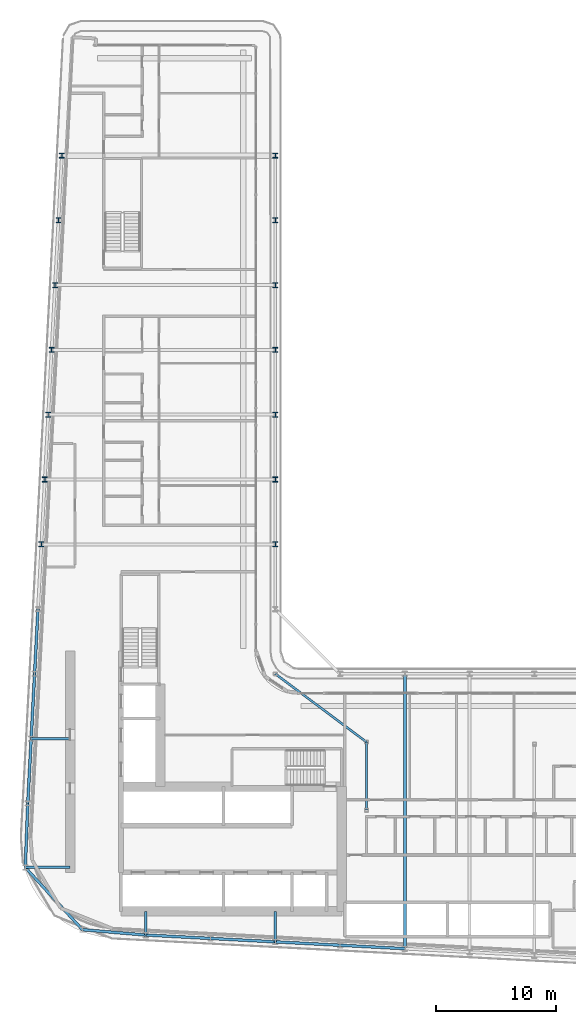
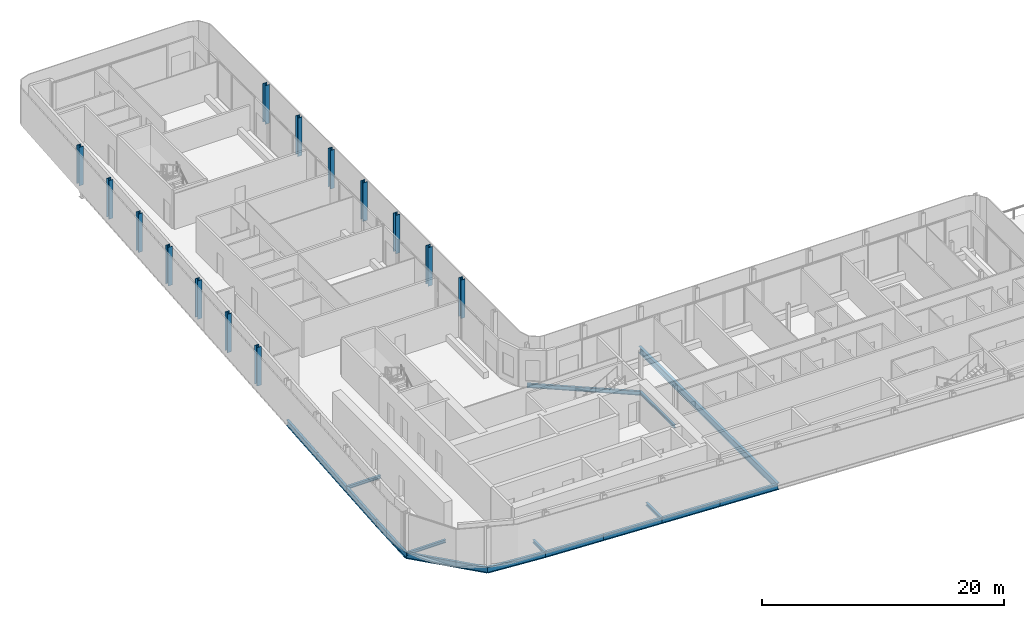
# One storey, part 3 of 27: 17 beams, 14 columns.
"""IFC4 building model written with IfcOpenShell, lengths in metres."""

from ifc_helpers import new_model, si_unit, direction, frame, origin, origin_2d, place, context, subcontext, project, spatial, i_section, extrude, material, material_profile, profile_set, type_object, element, save


model = new_model("IFC4")

# Units and contexts
model_context = context("Model", 3, precision=1e-05, world=origin(), true_north=direction((0.0, 1.0)))
body_context = subcontext(model_context, "Body", "Model", "MODEL_VIEW")
ifc_project = project(units=[si_unit("LENGTHUNIT", "METRE"), si_unit("AREAUNIT", "SQUARE_METRE"), si_unit("VOLUMEUNIT", "CUBIC_METRE"), si_unit("PLANEANGLEUNIT", "RADIAN"), si_unit("MASSUNIT", "GRAM", prefix="KILO")], contexts=[model_context])

# Site, building, storey
site_placement = place(None, origin())
site = spatial("IfcSite", under=ifc_project, at=site_placement, CompositionType="ELEMENT")
building_placement = place(site_placement, origin())
building = spatial("IfcBuilding", under=site, at=building_placement, Name="Kheshtan School and Residences Tower", CompositionType="ELEMENT")
storey_placement = place(building_placement, frame((0.0, 0.0, 152.60009765625)))
storey = spatial("IfcBuildingStorey", under=building, at=storey_placement, Name="L35", CompositionType="ELEMENT", Elevation=152.60009765625)

# Columns
ifc_material = material(Name="Steel ASTM A992 Grade 50", Category="steel")
ifc_material_profile_1 = material_profile(ifc_material, i_section(OverallWidth=0.408935546875, OverallDepth=0.425048828125, WebThickness=0.03271484375, FlangeThickness=0.052490234375, FilletRadius=0.0126953125, at=origin_2d()), Name="W360x421")
ifc_profile_set_1 = profile_set([ifc_material_profile_1], Name="Steel ASTM A992 Grade 50")
column_type = type_object("IfcColumnType", Name="Column C3 W360x421 ASTM A992 Grade 50", PredefinedType="COLUMN", material=ifc_profile_set_1)
for number, where, z_axis, x_axis, name in (
    (1, (28.10595703125, 56.39990234375, 0.0), (0.0, 0.0, 1.0), (1.0, 0.0, 0.0), "Column C080"),
    (2, (47.60009765625, 56.39990234375, 0.0), (0.0, 0.0, 1.0), (1.0, 0.0, 0.0), "Column C081"),
    (3, (28.389892578125, 61.800048828125, 0.0), (0.0, 0.0, 1.0), (1.0, 0.0, 0.0), "Column C082"),
    (4, (47.60009765625, 61.800048828125, 0.0), (0.0, 0.0, 1.0), (1.0, 0.0, 0.0), "Column C083"),
    (5, (28.674072265625, 67.199951171875, 0.0), (0.0, 0.0, 1.0), (1.0, 0.0, 0.0), "Column C084"),
    (6, (47.60009765625, 67.199951171875, 0.0), (0.0, 0.0, 1.0), (1.0, 0.0, 0.0), "Column C085"),
    (7, (28.9580078125, 72.60009765625, 0.0), (0.0, 0.0, 1.0), (1.0, 0.0, 0.0), "Column C086"),
    (8, (47.60009765625, 72.60009765625, 0.0), (0.0, 0.0, 1.0), (1.0, 0.0, 0.0), "Column C087"),
    (9, (29.242919921875, 78.0, 0.0), (0.0, 0.0, 1.0), (1.0, 0.0, 0.0), "Column C088"),
    (10, (47.60009765625, 78.0, 0.0), (0.0, 0.0, 1.0), (1.0, 0.0, 0.0), "Column C089"),
    (11, (29.527099609375, 83.39990234375, 0.0), (0.0, 0.0, 1.0), (1.0, 0.0, 0.0), "Column C090"),
    (12, (47.60009765625, 83.39990234375, 0.0), (0.0, 0.0, 1.0), (1.0, 0.0, 0.0), "Column C091"),
    (13, (29.81103515625, 88.800048828125, 0.0), (0.0, 0.0, 1.0), (1.0, 0.0, 0.0), "Column C098"),
    (14, (47.60009765625, 88.800048828125, 0.0), (0.0, 0.0, 1.0), (1.0, 0.0, 0.0), "Column C099"),
):
    element("IfcColumn", number, at=place(storey_placement, frame(where, z_axis=z_axis, x_axis=x_axis)), inside=storey, type_object=column_type, Name=name, PredefinedType="COLUMN", context=body_context, shape_type="SweptSolid", body=[
        extrude(i_section(OverallWidth=0.408935546875, OverallDepth=0.425048828125, WebThickness=0.03271484375, FlangeThickness=0.052490234375, FilletRadius=0.0126953125, at=origin_2d()), origin(), (0.0, 0.0, 1.0), 3.89990234375),
    ])

# Beams
ifc_material_profile_2 = material_profile(ifc_material, i_section(OverallWidth=0.202880859375, OverallDepth=0.302978515625, WebThickness=0.007568359375, FlangeThickness=0.01318359375, FilletRadius=0.009033203125, at=origin_2d()), Name="W310x60")
ifc_profile_set_2 = profile_set([ifc_material_profile_2], Name="Steel ASTM A992 Grade 50")
beam_type_1 = type_object("IfcBeamType", Name="Beam FB1 W310x60 ASTM A992 Grade 50", PredefinedType="BEAM", material=ifc_profile_set_2)
beam_1_placement = place(storey_placement, frame((47.60009765625, 23.263916015625, -0.301513671875), z_axis=(0.0, 1.0, 0.0), x_axis=(-1.0, 0.0, 0.0)))
element("IfcBeam", 15, at=beam_1_placement, inside=storey, type_object=beam_type_1, Name="Floor beam C020", PredefinedType="BEAM", context=body_context, shape_type="SweptSolid", body=[
    extrude(i_section(OverallWidth=0.202880859375, OverallDepth=0.302978515625, WebThickness=0.007568359375, FlangeThickness=0.01318359375, FilletRadius=0.009033203125, at=origin_2d()), origin(), (0.0, 0.0, 1.0), 2.5361328125),
])
beam_2_placement = place(storey_placement, frame((36.800048828125, 23.83203125, -0.301513671875), z_axis=(0.0, 1.0, 0.0), x_axis=(-1.0, 0.0, 0.0)))
element("IfcBeam", 16, at=beam_2_placement, inside=storey, type_object=beam_type_1, Name="Floor beam C022", PredefinedType="BEAM", context=body_context, shape_type="SweptSolid", body=[
    extrude(i_section(OverallWidth=0.202880859375, OverallDepth=0.302978515625, WebThickness=0.007568359375, FlangeThickness=0.01318359375, FilletRadius=0.009033203125, at=origin_2d()), origin(), (0.0, 0.0, 1.0), 1.968017578125),
])
beam_3_placement = place(storey_placement, frame((26.761962890625, 29.464111328125, -0.301513671875), z_axis=(1.0, 0.0, 0.0), x_axis=(0.0, 1.0, 0.0)))
element("IfcBeam", 17, at=beam_3_placement, inside=storey, type_object=beam_type_1, Name="Floor beam C041", PredefinedType="BEAM", context=body_context, shape_type="SweptSolid", body=[
    extrude(i_section(OverallWidth=0.202880859375, OverallDepth=0.302978515625, WebThickness=0.007568359375, FlangeThickness=0.01318359375, FilletRadius=0.009033203125, at=origin_2d()), origin(), (0.0, 0.0, 1.0), 3.738037109375),
])
beam_4_placement = place(storey_placement, frame((27.2529296875, 40.199951171875, -0.301513671875), z_axis=(1.0, 0.0, 0.0), x_axis=(0.0, 1.0, 0.0)))
element("IfcBeam", 18, at=beam_4_placement, inside=storey, type_object=beam_type_1, Name="Floor beam C056", PredefinedType="BEAM", context=body_context, shape_type="SweptSolid", body=[
    extrude(i_section(OverallWidth=0.202880859375, OverallDepth=0.302978515625, WebThickness=0.007568359375, FlangeThickness=0.01318359375, FilletRadius=0.009033203125, at=origin_2d()), origin(), (0.0, 0.0, 1.0), 3.2470703125),
])
beam_5_placement = place(storey_placement, frame((55.199951171875, 34.23193359375, -0.301513671875), z_axis=(0.0, 1.0, 0.0), x_axis=(-1.0, 0.0, 0.0)))
element("IfcBeam", 19, at=beam_5_placement, inside=storey, type_object=beam_type_1, Name="Floor beam IC", PredefinedType="BEAM", context=body_context, shape_type="SweptSolid", body=[
    extrude(i_section(OverallWidth=0.202880859375, OverallDepth=0.302978515625, WebThickness=0.007568359375, FlangeThickness=0.01318359375, FilletRadius=0.009033203125, at=origin_2d()), origin(), (0.0, 0.0, 1.0), 5.68408203125),
])
ifc_material_profile_3 = material_profile(ifc_material, i_section(OverallWidth=0.180908203125, OverallDepth=0.4169921875, WebThickness=0.010986328125, FlangeThickness=0.018310546875, FilletRadius=0.012451171875, at=origin_2d()), Name="W410x85")
ifc_profile_set_3 = profile_set([ifc_material_profile_3], Name="Steel ASTM A992 Grade 50")
beam_type_2 = type_object("IfcBeamType", Name="Beam FB3 W410x85 ASTM A992 Grade 50", PredefinedType="BEAM", material=ifc_profile_set_3)
beam_6_placement = place(storey_placement, frame((47.60009765625, 45.60009765625, -0.358642578125), z_axis=(0.800798828004, -0.598933416222, 0.0), x_axis=(0.598933416222, 0.800798828004, 0.0)))
element("IfcBeam", 20, at=beam_6_placement, inside=storey, type_object=beam_type_2, Name="Floor beam IC", PredefinedType="BEAM", context=body_context, shape_type="SweptSolid", body=[
    extrude(i_section(OverallWidth=0.180908203125, OverallDepth=0.4169921875, WebThickness=0.010986328125, FlangeThickness=0.018310546875, FilletRadius=0.012451171875, at=origin_2d()), origin(), (0.0, 0.0, 1.0), 9.490234375),
])
ifc_material_profile_4 = material_profile(ifc_material, i_section(OverallWidth=0.2529296875, OverallDepth=0.677978515625, WebThickness=0.01171875, FlangeThickness=0.016357421875, FilletRadius=0.0146484375, at=origin_2d()), Name="W690x125")
ifc_profile_set_4 = profile_set([ifc_material_profile_4], Name="Steel ASTM A992 Grade 50")
beam_type_3 = type_object("IfcBeamType", Name="Beam FB6 W690x125 ASTM A992 Grade 50", PredefinedType="BEAM", material=ifc_profile_set_4)
beam_7_placement = place(storey_placement, frame((58.39990234375, 22.695068359375, -0.489013671875), z_axis=(0.0, 1.0, 0.0), x_axis=(-1.0, 0.0, 0.0)))
element("IfcBeam", 21, at=beam_7_placement, inside=storey, type_object=beam_type_3, Name="Floor beam C018", PredefinedType="BEAM", context=body_context, shape_type="SweptSolid", body=[
    extrude(i_section(OverallWidth=0.2529296875, OverallDepth=0.677978515625, WebThickness=0.01171875, FlangeThickness=0.016357421875, FilletRadius=0.0146484375, at=origin_2d()), origin(), (0.0, 0.0, 1.0), 22.905029296875),
])
ifc_material_profile_5 = material_profile(ifc_material, i_section(OverallWidth=0.22802734375, OverallDepth=0.60302734375, WebThickness=0.010498046875, FlangeThickness=0.014892578125, FilletRadius=0.013427734375, at=origin_2d()), Name="W610x101")
ifc_profile_set_5 = profile_set([ifc_material_profile_5], Name="Steel ASTM A992 Grade 50")
beam_type_4 = type_object("IfcBeamType", Name="Beam SP2 W610x101 ASTM A992 Grade 50", PredefinedType="BEAM", material=ifc_profile_set_5)
for number, where, z_axis, x_axis, name in (
    (22, (58.39990234375, 22.695068359375, -0.45166015625), (-0.998610961136, 0.052689166816, 0.0), (-0.052689166816, -0.998610961136, 0.0), "Spandrel beam C018-C019"),
    (23, (53.0, 22.97998046875, -0.45166015625), (-0.998620447272, 0.05250906864, 0.0), (-0.05250906864, -0.998620447272, 0.0), "Spandrel beam C019-C020"),
):
    element("IfcBeam", number, at=place(storey_placement, frame(where, z_axis=z_axis, x_axis=x_axis)), inside=storey, type_object=beam_type_4, Name=name, PredefinedType="BEAM", context=body_context, shape_type="SweptSolid", body=[
        extrude(i_section(OverallWidth=0.22802734375, OverallDepth=0.60302734375, WebThickness=0.010498046875, FlangeThickness=0.014892578125, FilletRadius=0.013427734375, at=origin_2d()), origin(), (0.0, 0.0, 1.0), 5.407470703125),
    ])
beam_8_placement = place(storey_placement, frame((47.60009765625, 23.263916015625, -0.45166015625), z_axis=(-0.998618203458, 0.052551724256, 0.0), x_axis=(-0.052551724256, -0.998618203458, 0.0)))
element("IfcBeam", 24, at=beam_8_placement, inside=storey, type_object=beam_type_4, Name="Spandrel beam C020-C021", PredefinedType="BEAM", context=body_context, shape_type="SweptSolid", body=[
    extrude(i_section(OverallWidth=0.22802734375, OverallDepth=0.60302734375, WebThickness=0.010498046875, FlangeThickness=0.014892578125, FilletRadius=0.013427734375, at=origin_2d()), origin(), (0.0, 0.0, 1.0), 5.40771484375),
])
beam_9_placement = place(storey_placement, frame((42.199951171875, 23.548095703125, -0.45166015625), z_axis=(-0.998620447272, 0.05250906864, 0.0), x_axis=(-0.05250906864, -0.998620447272, 0.0)))
element("IfcBeam", 25, at=beam_9_placement, inside=storey, type_object=beam_type_4, Name="Spandrel beam C021-C022", PredefinedType="BEAM", context=body_context, shape_type="SweptSolid", body=[
    extrude(i_section(OverallWidth=0.22802734375, OverallDepth=0.60302734375, WebThickness=0.010498046875, FlangeThickness=0.014892578125, FilletRadius=0.013427734375, at=origin_2d()), origin(), (0.0, 0.0, 1.0), 5.407470703125),
])
beam_10_placement = place(storey_placement, frame((36.800048828125, 23.83203125, -0.45166015625), z_axis=(-0.996498230975, 0.083613848512, 0.0), x_axis=(-0.083613848512, -0.996498230975, 0.0)))
element("IfcBeam", 26, at=beam_10_placement, inside=storey, type_object=beam_type_4, Name="Spandrel beam C022-C028", PredefinedType="BEAM", context=body_context, shape_type="SweptSolid", body=[
    extrude(i_section(OverallWidth=0.22802734375, OverallDepth=0.60302734375, WebThickness=0.010498046875, FlangeThickness=0.014892578125, FilletRadius=0.013427734375, at=origin_2d()), origin(), (0.0, 0.0, 1.0), 5.296630859375),
])
beam_11_placement = place(storey_placement, frame((31.52197265625, 24.27490234375, -0.45166015625), z_axis=(-0.675974218658, 0.736925271456, 0.0), x_axis=(-0.736925271456, -0.675974218658, 0.0)))
element("IfcBeam", 27, at=beam_11_placement, inside=storey, type_object=beam_type_4, Name="Spandrel beam C028-C041", PredefinedType="BEAM", context=body_context, shape_type="SweptSolid", body=[
    extrude(i_section(OverallWidth=0.22802734375, OverallDepth=0.60302734375, WebThickness=0.010498046875, FlangeThickness=0.014892578125, FilletRadius=0.013427734375, at=origin_2d()), origin(), (0.0, 0.0, 1.0), 7.041748046875),
])
beam_12_placement = place(storey_placement, frame((26.761962890625, 29.464111328125, -0.45166015625), z_axis=(0.038770243067, 0.999248151488, 0.0), x_axis=(-0.999248151488, 0.038770243067, 0.0)))
element("IfcBeam", 28, at=beam_12_placement, inside=storey, type_object=beam_type_4, Name="Spandrel beam C041-C052", PredefinedType="BEAM", context=body_context, shape_type="SweptSolid", body=[
    extrude(i_section(OverallWidth=0.22802734375, OverallDepth=0.60302734375, WebThickness=0.010498046875, FlangeThickness=0.014892578125, FilletRadius=0.013427734375, at=origin_2d()), origin(), (0.0, 0.0, 1.0), 5.33984375),
])
beam_13_placement = place(storey_placement, frame((26.968994140625, 34.800048828125, -0.45166015625), z_axis=(0.05250906864, 0.998620447272, 0.0), x_axis=(-0.998620447272, 0.05250906864, 0.0)))
element("IfcBeam", 29, at=beam_13_placement, inside=storey, type_object=beam_type_4, Name="Spandrel beam C052-C056", PredefinedType="BEAM", context=body_context, shape_type="SweptSolid", body=[
    extrude(i_section(OverallWidth=0.22802734375, OverallDepth=0.60302734375, WebThickness=0.010498046875, FlangeThickness=0.014892578125, FilletRadius=0.013427734375, at=origin_2d()), origin(), (0.0, 0.0, 1.0), 5.407470703125),
])
beam_14_placement = place(storey_placement, frame((27.2529296875, 40.199951171875, -0.45166015625), z_axis=(0.052551724256, 0.998618203458, 0.0), x_axis=(-0.998618203458, 0.052551724256, 0.0)))
element("IfcBeam", 30, at=beam_14_placement, inside=storey, type_object=beam_type_4, Name="Spandrel beam C056-C059", PredefinedType="BEAM", context=body_context, shape_type="SweptSolid", body=[
    extrude(i_section(OverallWidth=0.22802734375, OverallDepth=0.60302734375, WebThickness=0.010498046875, FlangeThickness=0.014892578125, FilletRadius=0.013427734375, at=origin_2d()), origin(), (0.0, 0.0, 1.0), 5.40771484375),
])
beam_15_placement = place(storey_placement, frame((27.537109375, 45.60009765625, -0.45166015625), z_axis=(0.052689166816, 0.998610961136, 0.0), x_axis=(-0.998610961136, 0.052689166816, 0.0)))
element("IfcBeam", 31, at=beam_15_placement, inside=storey, type_object=beam_type_4, Name="Spandrel beam C059-C078", PredefinedType="BEAM", context=body_context, shape_type="SweptSolid", body=[
    extrude(i_section(OverallWidth=0.22802734375, OverallDepth=0.60302734375, WebThickness=0.010498046875, FlangeThickness=0.014892578125, FilletRadius=0.013427734375, at=origin_2d()), origin(), (0.0, 0.0, 1.0), 5.407470703125),
])

save(model, "model.ifc")
